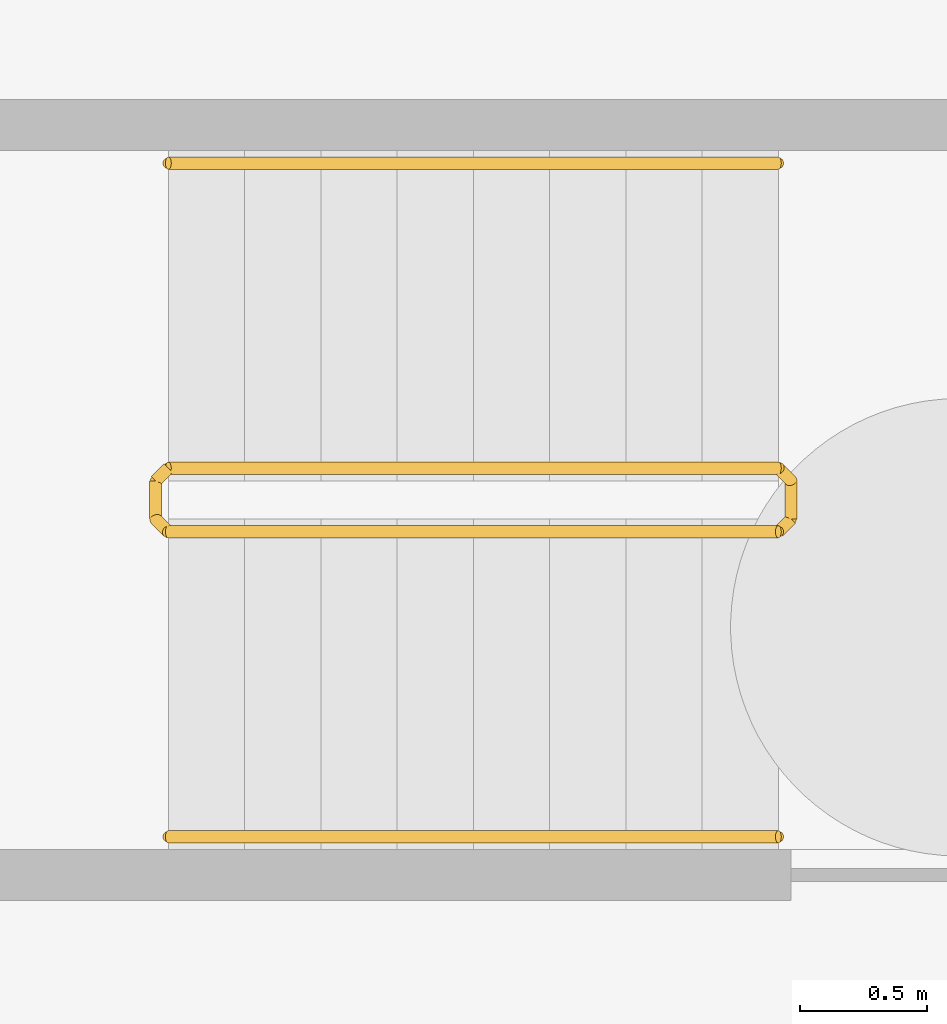
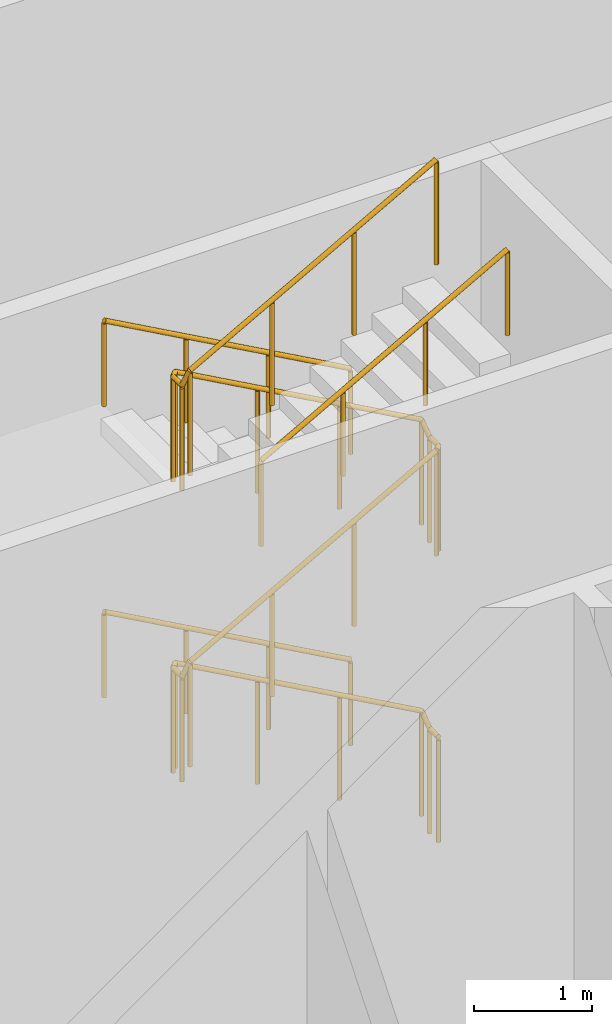
# One storey, part 11 of 12: 4 railings.
"""IFC4 building model written with IfcOpenShell, lengths in metres."""

from ifc_helpers import new_model, si_unit, direction, frame, origin, origin_2d, place, context, subcontext, project, spatial, circle, extrude, material, type_object, element, save


model = new_model("IFC4")

# Units and contexts
model_context = context("Model", 3, precision=1e-05, world=origin(), true_north=direction((0.0, 1.0)))
body_context = subcontext(model_context, "Body", "Model", "MODEL_VIEW")
ifc_project = project(units=[si_unit("LENGTHUNIT", "METRE"), si_unit("AREAUNIT", "SQUARE_METRE"), si_unit("VOLUMEUNIT", "CUBIC_METRE"), si_unit("PLANEANGLEUNIT", "RADIAN"), si_unit("MASSUNIT", "GRAM", prefix="KILO")], contexts=[model_context])

# Site, building, storey
site_placement = place(None, origin())
site = spatial("IfcSite", under=ifc_project, at=site_placement, CompositionType="ELEMENT")
building_placement = place(site_placement, origin())
building = spatial("IfcBuilding", under=site, at=building_placement, Name="Corvane Civic Tower", CompositionType="ELEMENT")
storey_placement = place(building_placement, frame((0.0, 0.0, -6.0)))
storey = spatial("IfcBuildingStorey", under=building, at=storey_placement, Name="B1", CompositionType="ELEMENT", Elevation=-6.0)

# Railings
ifc_material_1 = material(Name="Steel ASTM A572 Gr 50", Category="steel")
railing_type_1 = type_object("IfcRailingType", Name="ST-GUARD-1100", PredefinedType="GUARDRAIL", material=ifc_material_1)
railing_1_placement = place(storey_placement, frame((8.949951171875, 8.75, 0.0)))
element("IfcRailing", 1, at=railing_1_placement, inside=storey, type_object=railing_type_1, Name="B1 ST1 stair guard 1", PredefinedType="GUARDRAIL", context=body_context, shape_type="SweptSolid", body=[
    extrude(circle(Radius=0.02392578125, at=origin_2d()), frame((0.0, 0.0, 1.076171875), z_axis=(0.0, 1.0, 0.0), x_axis=(-1.0, 0.0, 0.0)), (0.0, 0.0, 1.0), 0.14990234375),
    extrude(circle(Radius=0.02392578125, at=origin_2d()), frame((0.0, 0.14990234375, 1.076171875), z_axis=(-0.27628659633, 0.27628659633, 0.920506074601), x_axis=(-0.707106781187, -0.707106781187, 0.0)), (0.0, 0.0, 1.0), 0.18115234375),
    extrude(circle(Radius=0.02392578125, at=origin_2d()), frame((-0.050048828125, 0.199951171875, 1.24267578125), z_axis=(-0.874161470802, 0.0, 0.485635380677), x_axis=(0.0, -1.0, 0.0)), (0.0, 0.0, 1.0), 2.745361328125),
    extrude(circle(Radius=0.02392578125, at=origin_2d()), frame((-2.449951171875, 0.199951171875, 2.576171875), z_axis=(-0.707106781187, -0.707106781187, 0.0), x_axis=(0.707106781187, -0.707106781187, 0.0)), (0.0, 0.0, 1.0), 0.07080078125),
    extrude(circle(Radius=0.02392578125, at=origin_2d()), frame((-2.5, 0.14990234375, 2.576171875), z_axis=(0.0, -1.0, 0.0), x_axis=(1.0, 0.0, 0.0)), (0.0, 0.0, 1.0), 0.14990234375),
    extrude(circle(Radius=0.02392578125, at=origin_2d()), frame((-2.5, 0.0, 2.576171875), z_axis=(0.27628659633, -0.27628659633, 0.920506074601), x_axis=(0.707106781187, 0.707106781187, 0.0)), (0.0, 0.0, 1.0), 0.18115234375),
    extrude(circle(Radius=0.02392578125, at=origin_2d()), frame((-2.449951171875, -0.050048828125, 2.74267578125), z_axis=(0.874161470802, 0.0, 0.485635380677), x_axis=(0.0, 1.0, 0.0)), (0.0, 0.0, 1.0), 2.745361328125),
    extrude(circle(Radius=0.02392578125, at=origin_2d()), frame((-0.050048828125, -0.050048828125, 4.076171875), z_axis=(0.707106781187, 0.707106781187, 0.0), x_axis=(-0.707106781187, 0.707106781187, 0.0)), (0.0, 0.0, 1.0), 0.07080078125),
    extrude(circle(Radius=0.02392578125, at=origin_2d()), frame((0.0, 0.0, 4.076171875), z_axis=(0.0, 1.0, 0.0), x_axis=(-1.0, 0.0, 0.0)), (0.0, 0.0, 1.0), 0.14990234375),
    extrude(circle(Radius=0.02392578125, at=origin_2d()), frame((0.0, 0.14990234375, 4.076171875), z_axis=(-0.27628659633, 0.27628659633, 0.920506074601), x_axis=(-0.707106781187, -0.707106781187, 0.0)), (0.0, 0.0, 1.0), 0.18115234375),
    extrude(circle(Radius=0.02392578125, at=origin_2d()), frame((-0.050048828125, 0.199951171875, 4.24267578125), z_axis=(-0.874161470802, 0.0, 0.485635380677), x_axis=(0.0, -1.0, 0.0)), (0.0, 0.0, 1.0), 2.745361328125),
    extrude(circle(Radius=0.02392578125, at=origin_2d()), frame((-2.449951171875, 0.199951171875, 5.576171875), z_axis=(-0.707106781187, -0.707106781187, 0.0), x_axis=(0.707106781187, -0.707106781187, 0.0)), (0.0, 0.0, 1.0), 0.07080078125),
    extrude(circle(Radius=0.02392578125, at=origin_2d()), frame((-2.5, 0.14990234375, 5.576171875), z_axis=(0.0, -1.0, 0.0), x_axis=(1.0, 0.0, 0.0)), (0.0, 0.0, 1.0), 0.14990234375),
    extrude(circle(Radius=0.02392578125, at=origin_2d()), frame((-2.5, 0.0, 5.576171875), z_axis=(0.27628659633, -0.27628659633, 0.920506074601), x_axis=(0.707106781187, 0.707106781187, 0.0)), (0.0, 0.0, 1.0), 0.18115234375),
    extrude(circle(Radius=0.02392578125, at=origin_2d()), frame((-2.449951171875, -0.050048828125, 5.74267578125), z_axis=(0.874161470802, 0.0, 0.485635380677), x_axis=(0.0, 1.0, 0.0)), (0.0, 0.0, 1.0), 2.745361328125),
    extrude(circle(Radius=0.02099609375, at=origin_2d()), origin(), (0.0, 0.0, 1.0), 1.052001953125),
    extrude(circle(Radius=0.02099609375, at=origin_2d()), frame((0.0, 0.14990234375, 0.0)), (0.0, 0.0, 1.0), 1.052001953125),
    extrude(circle(Radius=0.02099609375, at=origin_2d()), frame((-0.050048828125, 0.199951171875, 0.166748046875)), (0.0, 0.0, 1.0), 1.052001953125),
    extrude(circle(Radius=0.02099609375, at=origin_2d()), frame((-0.85009765625, 0.199951171875, 0.611083984375)), (0.0, 0.0, 1.0), 1.052001953125),
    extrude(circle(Radius=0.02099609375, at=origin_2d()), frame((-1.64990234375, 0.199951171875, 1.0556640625)), (0.0, 0.0, 1.0), 1.052001953125),
    extrude(circle(Radius=0.02099609375, at=origin_2d()), frame((-2.449951171875, 0.199951171875, 1.5)), (0.0, 0.0, 1.0), 1.052001953125),
    extrude(circle(Radius=0.02099609375, at=origin_2d()), frame((-2.5, 0.14990234375, 1.5)), (0.0, 0.0, 1.0), 1.052001953125),
    extrude(circle(Radius=0.02099609375, at=origin_2d()), frame((-2.5, 0.0, 1.5)), (0.0, 0.0, 1.0), 1.052001953125),
    extrude(circle(Radius=0.02099609375, at=origin_2d()), frame((-2.449951171875, -0.050048828125, 1.666748046875)), (0.0, 0.0, 1.0), 1.052001953125),
    extrude(circle(Radius=0.02099609375, at=origin_2d()), frame((-1.64990234375, -0.050048828125, 2.111083984375)), (0.0, 0.0, 1.0), 1.052001953125),
    extrude(circle(Radius=0.02099609375, at=origin_2d()), frame((-0.85009765625, -0.050048828125, 2.5556640625)), (0.0, 0.0, 1.0), 1.052001953125),
    extrude(circle(Radius=0.02099609375, at=origin_2d()), frame((-0.050048828125, -0.050048828125, 3.0)), (0.0, 0.0, 1.0), 1.052001953125),
    extrude(circle(Radius=0.02099609375, at=origin_2d()), frame((0.0, 0.0, 3.0)), (0.0, 0.0, 1.0), 1.052001953125),
    extrude(circle(Radius=0.02099609375, at=origin_2d()), frame((0.0, 0.14990234375, 3.0)), (0.0, 0.0, 1.0), 1.052001953125),
    extrude(circle(Radius=0.02099609375, at=origin_2d()), frame((-0.050048828125, 0.199951171875, 3.166748046875)), (0.0, 0.0, 1.0), 1.052001953125),
    extrude(circle(Radius=0.02099609375, at=origin_2d()), frame((-0.85009765625, 0.199951171875, 3.611083984375)), (0.0, 0.0, 1.0), 1.052001953125),
    extrude(circle(Radius=0.02099609375, at=origin_2d()), frame((-1.64990234375, 0.199951171875, 4.0556640625)), (0.0, 0.0, 1.0), 1.052001953125),
    extrude(circle(Radius=0.02099609375, at=origin_2d()), frame((-2.449951171875, 0.199951171875, 4.5)), (0.0, 0.0, 1.0), 1.052001953125),
    extrude(circle(Radius=0.02099609375, at=origin_2d()), frame((-2.5, 0.14990234375, 4.5)), (0.0, 0.0, 1.0), 1.052001953125),
    extrude(circle(Radius=0.02099609375, at=origin_2d()), frame((-2.5, 0.0, 4.5)), (0.0, 0.0, 1.0), 1.052001953125),
    extrude(circle(Radius=0.02099609375, at=origin_2d()), frame((-2.449951171875, -0.050048828125, 4.666748046875)), (0.0, 0.0, 1.0), 1.052001953125),
    extrude(circle(Radius=0.02099609375, at=origin_2d()), frame((-1.64990234375, -0.050048828125, 5.111083984375)), (0.0, 0.0, 1.0), 1.052001953125),
    extrude(circle(Radius=0.02099609375, at=origin_2d()), frame((-0.85009765625, -0.050048828125, 5.5556640625)), (0.0, 0.0, 1.0), 1.052001953125),
    extrude(circle(Radius=0.02099609375, at=origin_2d()), frame((-0.050048828125, -0.050048828125, 6.0)), (0.0, 0.0, 1.0), 1.052001953125),
])
ifc_material_2 = material(Name="Steel ASTM A572 Gr 50", Category="steel")
railing_type_2 = type_object("IfcRailingType", Name="ST-HANDRAIL-900", PredefinedType="HANDRAIL", material=ifc_material_2)
for number, where, name in (
    (2, (8.89990234375, 10.14990234375, 0.166748046875), "B1 ST1 stair handrail 1"),
    (3, (8.89990234375, 10.14990234375, 3.166748046875), "B1 ST1 stair handrail 3"),
):
    element("IfcRailing", number, at=place(storey_placement, frame(where)), inside=storey, type_object=railing_type_2, Name=name, PredefinedType="HANDRAIL", context=body_context, shape_type="SweptSolid", body=[
        extrude(circle(Radius=0.02392578125, at=origin_2d()), frame((0.0, 0.0, 0.8759765625), z_axis=(-0.874161470802, 0.0, 0.485635380677), x_axis=(0.0, -1.0, 0.0)), (0.0, 0.0, 1.0), 2.745361328125),
        extrude(circle(Radius=0.02099609375, at=origin_2d()), origin(), (0.0, 0.0, 1.0), 0.851806640625),
        extrude(circle(Radius=0.02099609375, at=origin_2d()), frame((-0.800048828125, 0.0, 0.4443359375)), (0.0, 0.0, 1.0), 0.851806640625),
        extrude(circle(Radius=0.02099609375, at=origin_2d()), frame((-1.599853515625, 0.0, 0.888916015625)), (0.0, 0.0, 1.0), 0.851806640625),
        extrude(circle(Radius=0.02099609375, at=origin_2d()), frame((-2.39990234375, 0.0, 1.333251953125)), (0.0, 0.0, 1.0), 0.851806640625),
    ])
railing_2_placement = place(storey_placement, frame((6.5, 7.5, 4.666748046875)))
element("IfcRailing", 4, at=railing_2_placement, inside=storey, type_object=railing_type_2, Name="B1 ST1 stair handrail 4", PredefinedType="HANDRAIL", context=body_context, shape_type="SweptSolid", body=[
    extrude(circle(Radius=0.02392578125, at=origin_2d()), frame((0.0, 0.0, 0.8759765625), z_axis=(0.874161470802, 0.0, 0.485635380677), x_axis=(0.0, 1.0, 0.0)), (0.0, 0.0, 1.0), 2.745361328125),
    extrude(circle(Radius=0.02099609375, at=origin_2d()), origin(), (0.0, 0.0, 1.0), 0.851806640625),
    extrude(circle(Radius=0.02099609375, at=origin_2d()), frame((0.800048828125, 0.0, 0.4443359375)), (0.0, 0.0, 1.0), 0.851806640625),
    extrude(circle(Radius=0.02099609375, at=origin_2d()), frame((1.599853515625, 0.0, 0.888916015625)), (0.0, 0.0, 1.0), 0.851806640625),
    extrude(circle(Radius=0.02099609375, at=origin_2d()), frame((2.39990234375, 0.0, 1.333251953125)), (0.0, 0.0, 1.0), 0.851806640625),
])

save(model, "model.ifc")
